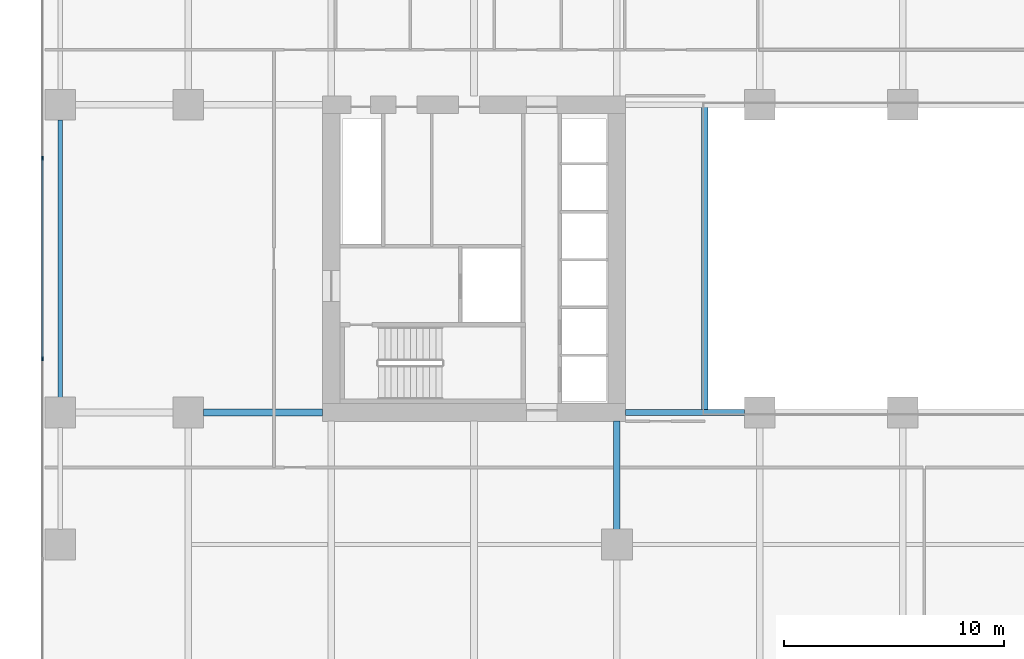
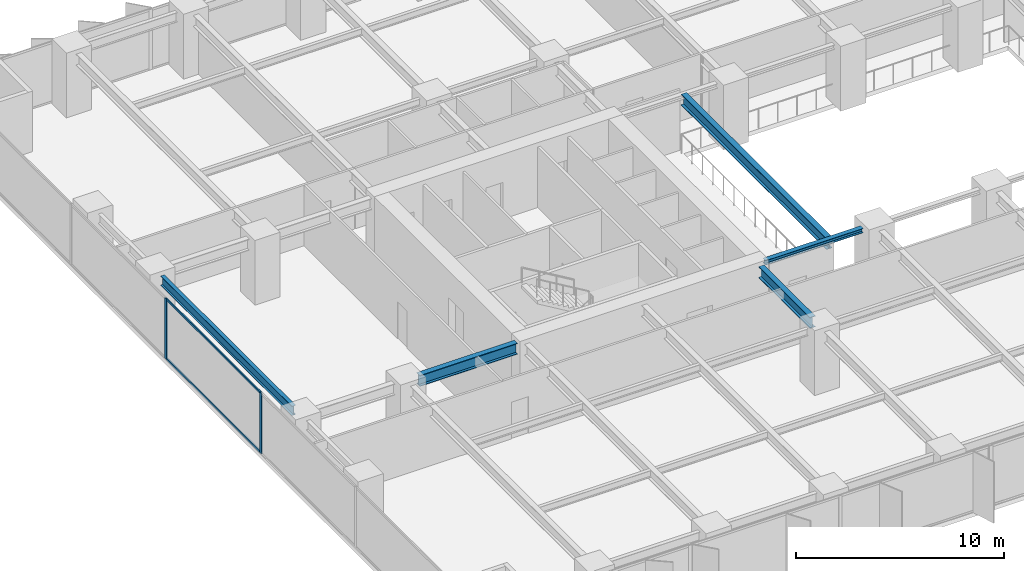
# One storey, part 4 of 20: 5 beams, 4 members, 1 element without a shape of its own.
"""IFC4 building model written with IfcOpenShell, lengths in metres."""

import ifcopenshell
import ifcopenshell.guid

model = None  # the IFC model being written
_history = None  # IfcOwnerHistory: only IFC2X3 demands one
_inside = {}  # id of a spatial element -> (the spatial element, [elements in it])
_under = {}  # id of a project, library or spatial element -> (it, [spatial elements below it])
_declared = {}  # id of a project -> (the project, [libraries it declares])
_typed = {}  # id of a type object -> (the type object, [elements of that type])
_made_of = {}  # id of a material, layer set ... -> (it, [elements and type objects made of it])


def new_model(schema):
    """Start an empty IFC model of exactly this schema.

    Asked for "IFC4X3", IfcOpenShell would pick the latest addendum, in which some entities
    have other attributes; the version numbers below select the first issue.
    IFC2X3 requires an IfcOwnerHistory on every rooted entity: one is made here for all.
    """
    global model, _history
    if schema == "IFC4X3":
        model = ifcopenshell.file(schema_version=(4, 3, 0, 0))
    else:
        model = ifcopenshell.file(schema=schema)
    _inside.clear()
    _under.clear()
    _declared.clear()
    _typed.clear()
    _made_of.clear()
    _history = None
    if model.schema == "IFC2X3":
        org = make("IfcOrganization", Name="unknown")
        user = make(
            "IfcPersonAndOrganization",
            ThePerson=make("IfcPerson", FamilyName="unknown"),
            TheOrganization=org,
        )
        app = make(
            "IfcApplication",
            ApplicationDeveloper=org,
            Version="unknown",
            ApplicationFullName="unknown",
            ApplicationIdentifier="unknown",
        )
        _history = make(
            "IfcOwnerHistory",
            OwningUser=user,
            OwningApplication=app,
            ChangeAction="ADDED",
            CreationDate=0,
        )
    return model


def make(cls, **values):
    """One entity of the class cls with the attributes given. An attribute that is None is left unset."""
    return model.create_entity(
        cls, **{name: value for name, value in values.items() if value is not None}
    )


def rooted(cls, **values):
    """An entity with a GlobalId (a new one), such as an element, a storey or a relation."""
    return make(cls, GlobalId=ifcopenshell.guid.new(), OwnerHistory=_history, **values)


def si_unit(unit_type, name, prefix=None):
    """IfcSIUnit, for example si_unit("LENGTHUNIT", "METRE", prefix="MILLI")."""
    return make("IfcSIUnit", UnitType=unit_type, Prefix=prefix, Name=name)


def assignment(units):
    """IfcUnitAssignment: the units of a project."""
    return None if units is None else make("IfcUnitAssignment", Units=units)


def point(xyz):
    """IfcCartesianPoint."""
    return None if xyz is None else make("IfcCartesianPoint", Coordinates=xyz)


def direction(xyz):
    """IfcDirection."""
    return None if xyz is None else make("IfcDirection", DirectionRatios=xyz)


def frame(location, z_axis=None, x_axis=None):
    """IfcAxis2Placement3D, a coordinate frame: its origin and axes. An axis left out is left unset."""
    return make(
        "IfcAxis2Placement3D",
        Location=point(location),
        Axis=direction(z_axis),
        RefDirection=direction(x_axis),
    )


def frame_2d(location, x_axis=None):
    """IfcAxis2Placement2D, a coordinate frame in the plane: its origin and x axis."""
    return make(
        "IfcAxis2Placement2D", Location=point(location), RefDirection=direction(x_axis)
    )


def origin():
    """The frame at (0, 0, 0) with its axes left unset."""
    return frame((0.0, 0.0, 0.0))


def origin_2d():
    """The frame at (0, 0) in the plane with its x axis left unset."""
    return frame_2d((0.0, 0.0))


def place(relative_to, where):
    """IfcLocalPlacement: puts the frame where relative to a parent placement (None: the world)."""
    return make(
        "IfcLocalPlacement", PlacementRelTo=relative_to, RelativePlacement=where
    )


def context(
    kind, dimensions, precision=None, world=None, true_north=None, identifier=None
):
    """IfcGeometricRepresentationContext, for example the 3D "Model" context."""
    return make(
        "IfcGeometricRepresentationContext",
        ContextIdentifier=identifier,
        ContextType=kind,
        CoordinateSpaceDimension=dimensions,
        Precision=precision,
        WorldCoordinateSystem=world,
        TrueNorth=true_north,
    )


def subcontext(parent, identifier, kind, view, scale=None):
    """IfcGeometricRepresentationSubContext, for example "Body" below "Model"."""
    return make(
        "IfcGeometricRepresentationSubContext",
        ContextIdentifier=identifier,
        ContextType=kind,
        ParentContext=parent,
        TargetScale=scale,
        TargetView=view,
    )


def project(units=None, contexts=None):
    """IfcProject with its units and contexts."""
    return rooted(
        "IfcProject",
        Name="project",
        RepresentationContexts=contexts,
        UnitsInContext=assignment(units),
    )


def spatial(cls, under=None, at=None, **own):
    """A site, building, storey or space (cls), placed at a placement, below another one or the project."""
    s = rooted(cls, ObjectPlacement=at, **own)
    if under is not None:
        _under.setdefault(under.id(), (under, []))[1].append(s)
    return s


def profile(cls, at=None, kind="AREA", **sizes):
    """A parametric profile (cls). Its sizes go by their IFC names, for example OverallWidth=200.0."""
    return make(cls, ProfileType=kind, Position=at, **sizes)


def rectangle(**sizes):
    """IfcRectangleProfileDef."""
    return profile("IfcRectangleProfileDef", **sizes)


def i_section(**sizes):
    """IfcIShapeProfileDef."""
    return profile("IfcIShapeProfileDef", **sizes)


def extrude(swept, where, along, depth):
    """IfcExtrudedAreaSolid: the profile swept, set in the frame where, extruded along a direction by depth."""
    return make(
        "IfcExtrudedAreaSolid",
        SweptArea=swept,
        Position=where,
        ExtrudedDirection=direction(along),
        Depth=depth,
    )


def shape(context_of_items, identifier, shape_type, items):
    """IfcShapeRepresentation: the items that make up one representation, for example the "Body"."""
    return make(
        "IfcShapeRepresentation",
        ContextOfItems=context_of_items,
        RepresentationIdentifier=identifier,
        RepresentationType=shape_type,
        Items=items,
    )


def material(Name=None, Category=None):
    """IfcMaterial."""
    return make("IfcMaterial", Name=Name, Category=Category)


def layer(
    of_material, thickness, ventilated=None, Name=None, Category=None, Priority=None
):
    """IfcMaterialLayer: one layer of a wall or slab, of a material (None: an air gap)."""
    return make(
        "IfcMaterialLayer",
        Material=of_material,
        LayerThickness=thickness,
        IsVentilated=ventilated,
        Name=Name,
        Category=Category,
        Priority=Priority,
    )


def layer_set(layers, Name=None):
    """IfcMaterialLayerSet."""
    return make("IfcMaterialLayerSet", MaterialLayers=layers, LayerSetName=Name)


def material_profile(
    of_material, cross_section, Name=None, Category=None, Priority=None
):
    """IfcMaterialProfile: a cross section and its material."""
    return make(
        "IfcMaterialProfile",
        Name=Name,
        Material=of_material,
        Profile=cross_section,
        Priority=Priority,
        Category=Category,
    )


def profile_set(profiles, Name=None, composite=None):
    """IfcMaterialProfileSet."""
    return make(
        "IfcMaterialProfileSet",
        Name=Name,
        MaterialProfiles=profiles,
        CompositeProfile=composite,
    )


def made_of(thing, what):
    """Note that an element or type object is made of a material, layer set ...; save() writes the relation."""
    if what is not None:
        _made_of.setdefault(what.id(), (what, []))[1].append(thing)
    return thing


def type_object(cls, material=None, **own):
    """A type object (cls), such as IfcWallType, which elements share."""
    return made_of(rooted(cls, **own), material)


def element(
    cls,
    number,
    at=None,
    inside=None,
    cuts=None,
    type_object=None,
    material=None,
    context=None,
    identifier="Body",
    shape_type=None,
    held_by="IfcProductDefinitionShape",
    body=None,
    shapes=None,
    **own,
):
    """One element of the class cls, such as IfcWall. Its Tag is "e" and its number.

    at: its placement. inside: the storey or other place that contains it. cuts: it is an
    opening in that element (IfcRelVoidsElement). A single representation is given by context,
    identifier, shape_type and body (its items); several are given by shapes. held_by: the class
    of the entity that holds the representations. save() writes the other relations.
    """
    e = rooted(cls, Tag="e%d" % number, ObjectPlacement=at, **own)
    if body is not None:
        shapes = [shape(context, identifier, shape_type, body)]
    if shapes is not None:
        e.Representation = make(held_by, Representations=shapes)
    if inside is not None:
        _inside.setdefault(inside.id(), (inside, []))[1].append(e)
    if cuts is not None:
        rooted(
            "IfcRelVoidsElement", RelatingBuildingElement=cuts, RelatedOpeningElement=e
        )
    if type_object is not None:
        _typed.setdefault(type_object.id(), (type_object, []))[1].append(e)
    return made_of(e, material)


def aggregate(whole, parts):
    """IfcRelAggregates: a whole, such as a stair, and the parts it consists of."""
    return rooted("IfcRelAggregates", RelatingObject=whole, RelatedObjects=parts)


def save(model, path):
    """Write the relations noted so far, then the file.

    IfcRelAggregates (storeys below a building ...), IfcRelContainedInSpatialStructure (elements
    in a storey), IfcRelDefinesByType, IfcRelAssociatesMaterial and IfcRelDeclares: one each for
    every whole, place, type object, material and project.
    """
    for whole, parts in _under.values():
        aggregate(whole, parts)
    for where, things in _inside.values():
        rooted(
            "IfcRelContainedInSpatialStructure",
            RelatedElements=things,
            RelatingStructure=where,
        )
    for kind, things in _typed.values():
        rooted("IfcRelDefinesByType", RelatedObjects=things, RelatingType=kind)
    for what, things in _made_of.values():
        rooted("IfcRelAssociatesMaterial", RelatedObjects=things, RelatingMaterial=what)
    for by, libraries in _declared.values():
        rooted("IfcRelDeclares", RelatingContext=by, RelatedDefinitions=libraries)
    model.write(path)


model = new_model("IFC4")

# Units and contexts
model_context = context("Model", 3, precision=1e-05, world=origin(), true_north=direction((0.0, 1.0)))
body_context = subcontext(model_context, "Body", "Model", "MODEL_VIEW")
ifc_project = project(units=[si_unit("LENGTHUNIT", "METRE"), si_unit("AREAUNIT", "SQUARE_METRE"), si_unit("VOLUMEUNIT", "CUBIC_METRE"), si_unit("PLANEANGLEUNIT", "RADIAN"), si_unit("MASSUNIT", "GRAM", prefix="KILO")], contexts=[model_context])

# Site, building, storey
site_placement = place(None, origin())
site = spatial("IfcSite", under=ifc_project, at=site_placement, CompositionType="ELEMENT")
building_placement = place(site_placement, origin())
building = spatial("IfcBuilding", under=site, at=building_placement, Name="Putna Gate Headquarters", CompositionType="ELEMENT")
storey_placement = place(building_placement, frame((0.0, 0.0, 31.60009765625)))
storey = spatial("IfcBuildingStorey", under=building, at=storey_placement, Name="L06", CompositionType="ELEMENT", Elevation=31.60009765625)

# Beams
ifc_material_1 = material(Name="Steel S355J2", Category="steel")
ifc_material_profile_1 = material_profile(ifc_material_1, i_section(OverallWidth=0.260009765625, OverallDepth=0.260009765625, WebThickness=0.010009765625, FlangeThickness=0.017578125, at=origin_2d()), Name="Steel S355J2")
ifc_profile_set_1 = profile_set([ifc_material_profile_1], Name="Steel S355J2")
beam_type_1 = type_object("IfcBeamType", Name="BM-ATRIUM-HEB260", PredefinedType="BEAM", material=ifc_profile_set_1)
beam_1_placement = place(storey_placement, frame((26.385009765625, 19.0, 3.419921875), z_axis=(1.0, 0.0, 0.0), x_axis=(0.0, 1.0, 0.0)))
element("IfcBeam", 1, at=beam_1_placement, inside=storey, type_object=beam_type_1, Name="L06 Atrium Edge Beam AS1", PredefinedType="BEAM", context=body_context, shape_type="SweptSolid", body=[
    extrude(i_section(OverallWidth=0.260009765625, OverallDepth=0.260009765625, WebThickness=0.010009765625, FlangeThickness=0.017578125, at=origin_2d()), origin(), (0.0, 0.0, 1.0), 5.427001953125),
])
ifc_material_profile_2 = material_profile(ifc_material_1, i_section(OverallWidth=0.300048828125, OverallDepth=0.64990234375, WebThickness=0.01611328125, FlangeThickness=0.031005859375, at=origin_2d()), Name="Steel S355J2")
ifc_profile_set_2 = profile_set([ifc_material_profile_2], Name="Steel S355J2")
beam_type_2 = type_object("IfcBeamType", Name="BM-GIRD-Z1-HEB650", PredefinedType="USERDEFINED", material=ifc_profile_set_2)
beam_2_placement = place(storey_placement, frame((7.18798828125, 19.0, 3.224853515625), z_axis=(1.0, 0.0, 0.0), x_axis=(0.0, 1.0, 0.0)))
element("IfcBeam", 2, at=beam_2_placement, inside=storey, type_object=beam_type_2, Name="L06 West Wing Girder Y19-2", ObjectType="GIRDER", PredefinedType="USERDEFINED", context=body_context, shape_type="SweptSolid", body=[
    extrude(i_section(OverallWidth=0.300048828125, OverallDepth=0.64990234375, WebThickness=0.01611328125, FlangeThickness=0.031005859375, at=origin_2d()), origin(), (0.0, 0.0, 1.0), 5.427001953125),
])
beam_3_placement = place(storey_placement, frame((26.0, 13.68798828125, 3.224853515625), z_axis=(0.0, 1.0, 0.0), x_axis=(-1.0, 0.0, 0.0)))
element("IfcBeam", 3, at=beam_3_placement, inside=storey, type_object=beam_type_2, Name="L06 South Primary Girder X26-2", ObjectType="GIRDER", PredefinedType="USERDEFINED", context=body_context, shape_type="SweptSolid", body=[
    extrude(i_section(OverallWidth=0.300048828125, OverallDepth=0.64990234375, WebThickness=0.01611328125, FlangeThickness=0.031005859375, at=origin_2d()), origin(), (0.0, 0.0, 1.0), 4.927001953125),
])
beam_4_placement = place(storey_placement, frame((30.0, 19.010009765625, 3.224853515625), z_axis=(0.0, 1.0, 0.0), x_axis=(-1.0, 0.0, 0.0)))
element("IfcBeam", 4, at=beam_4_placement, inside=storey, type_object=beam_type_2, Name="L06 Atrium Trim Girder AW", ObjectType="GIRDER", PredefinedType="USERDEFINED", context=body_context, shape_type="SweptSolid", body=[
    extrude(i_section(OverallWidth=0.300048828125, OverallDepth=0.64990234375, WebThickness=0.01611328125, FlangeThickness=0.031005859375, at=origin_2d()), origin(), (0.0, 0.0, 1.0), 13.97998046875),
])
ifc_material_profile_3 = material_profile(ifc_material_1, i_section(OverallWidth=0.2099609375, OverallDepth=0.550048828125, WebThickness=0.010986328125, FlangeThickness=0.01708984375, at=origin_2d()), Name="Steel S355J2")
ifc_profile_set_3 = profile_set([ifc_material_profile_3], Name="Steel S355J2")
beam_type_3 = type_object("IfcBeamType", Name="BM-SPAN-Z1-IPE550", PredefinedType="SPANDREL", material=ifc_profile_set_3)
beam_5_placement = place(storey_placement, frame((0.679931640625, 19.68798828125, 3.27490234375), z_axis=(0.0, 1.0, 0.0), x_axis=(-1.0, 0.0, 0.0)))
element("IfcBeam", 5, at=beam_5_placement, inside=storey, type_object=beam_type_3, Name="L06 W End Spandrel 2", PredefinedType="SPANDREL", context=body_context, shape_type="SweptSolid", body=[
    extrude(i_section(OverallWidth=0.2099609375, OverallDepth=0.550048828125, WebThickness=0.010986328125, FlangeThickness=0.01708984375, at=origin_2d()), origin(), (0.0, 0.0, 1.0), 12.6240234375),
])

# Curtain wall, members
ifc_material_2 = material(Name="Anodised bronze aluminium curtain wall", Category="aluminium")
ifc_layer = layer(ifc_material_2, 0.179931640625)
ifc_layer_set = layer_set([ifc_layer], Name="Anodised bronze aluminium curtain wall")
curtain_wall_type = type_object("IfcCurtainWallType", Name="CW-SYS-Z1", PredefinedType="USERDEFINED", material=ifc_layer_set)
curtain_wall_placement = place(storey_placement, origin())
curtain_wall = element("IfcCurtainWall", 6, at=curtain_wall_placement, inside=storey, type_object=curtain_wall_type, Name="L06 West Curtain Wall", ObjectType="STICK CURTAIN WALL", PredefinedType="USERDEFINED")
ifc_material_3 = material(Name="Anodised bronze aluminium EN AW-6060", Category="aluminium")
ifc_material_profile_4 = material_profile(ifc_material_3, rectangle(XDim=0.070068359375, YDim=0.179931640625, at=origin_2d()), Name="Anodised bronze aluminium EN AW-6060")
ifc_profile_set_4 = profile_set([ifc_material_profile_4], Name="Anodised bronze aluminium EN AW-6060")
member_type_1 = type_object("IfcMemberType", Name="MULL-CWM-1", PredefinedType="MULLION", material=ifc_profile_set_4)
member_1_placement = place(storey_placement, frame((-0.1201171875, 21.43994140625, 0.0), z_axis=(0.0, 0.0, 1.0), x_axis=(-1.0, 0.0, 0.0)))
member_1 = element("IfcMember", 7, at=member_1_placement, type_object=member_type_1, Name="CWS-1 mullion 3", PredefinedType="MULLION", context=body_context, shape_type="SweptSolid", body=[
    extrude(rectangle(XDim=0.070068359375, YDim=0.179931640625, at=origin_2d()), origin(), (0.0, 0.0, 1.0), 3.5498046875),
])
member_2_placement = place(storey_placement, frame((-0.1201171875, 30.56005859375, 0.0), z_axis=(0.0, 0.0, 1.0), x_axis=(-1.0, 0.0, 0.0)))
member_2 = element("IfcMember", 8, at=member_2_placement, type_object=member_type_1, Name="CWS-1 mullion 4", PredefinedType="MULLION", context=body_context, shape_type="SweptSolid", body=[
    extrude(rectangle(XDim=0.070068359375, YDim=0.179931640625, at=origin_2d()), origin(), (0.0, 0.0, 1.0), 3.5498046875),
])
ifc_material_profile_5 = material_profile(ifc_material_3, rectangle(XDim=0.06494140625, YDim=0.1201171875, at=origin_2d()), Name="Anodised bronze aluminium EN AW-6060")
ifc_profile_set_5 = profile_set([ifc_material_profile_5], Name="Anodised bronze aluminium EN AW-6060")
member_type_2 = type_object("IfcMemberType", Name="TRAN-CWT-1", PredefinedType="USERDEFINED", material=ifc_profile_set_5)
member_3_placement = place(storey_placement, frame((-0.1201171875, 21.47509765625, 0.032470703125), z_axis=(0.0, 1.0, 0.0), x_axis=(-1.0, 0.0, 0.0)))
member_3 = element("IfcMember", 9, at=member_3_placement, type_object=member_type_2, Name="CWS-1 transom 3.1", ObjectType="TRANSOM", PredefinedType="USERDEFINED", context=body_context, shape_type="SweptSolid", body=[
    extrude(rectangle(XDim=0.06494140625, YDim=0.1201171875, at=origin_2d()), origin(), (0.0, 0.0, 1.0), 9.0498046875),
])
member_4_placement = place(storey_placement, frame((-0.1201171875, 21.47509765625, 3.517333984375), z_axis=(0.0, 1.0, 0.0), x_axis=(-1.0, 0.0, 0.0)))
member_4 = element("IfcMember", 10, at=member_4_placement, type_object=member_type_2, Name="CWS-1 transom 3.2", ObjectType="TRANSOM", PredefinedType="USERDEFINED", context=body_context, shape_type="SweptSolid", body=[
    extrude(rectangle(XDim=0.06494140625, YDim=0.1201171875, at=origin_2d()), origin(), (0.0, 0.0, 1.0), 9.0498046875),
])
aggregate(curtain_wall, [member_1, member_2, member_3, member_4])

save(model, "model.ifc")
